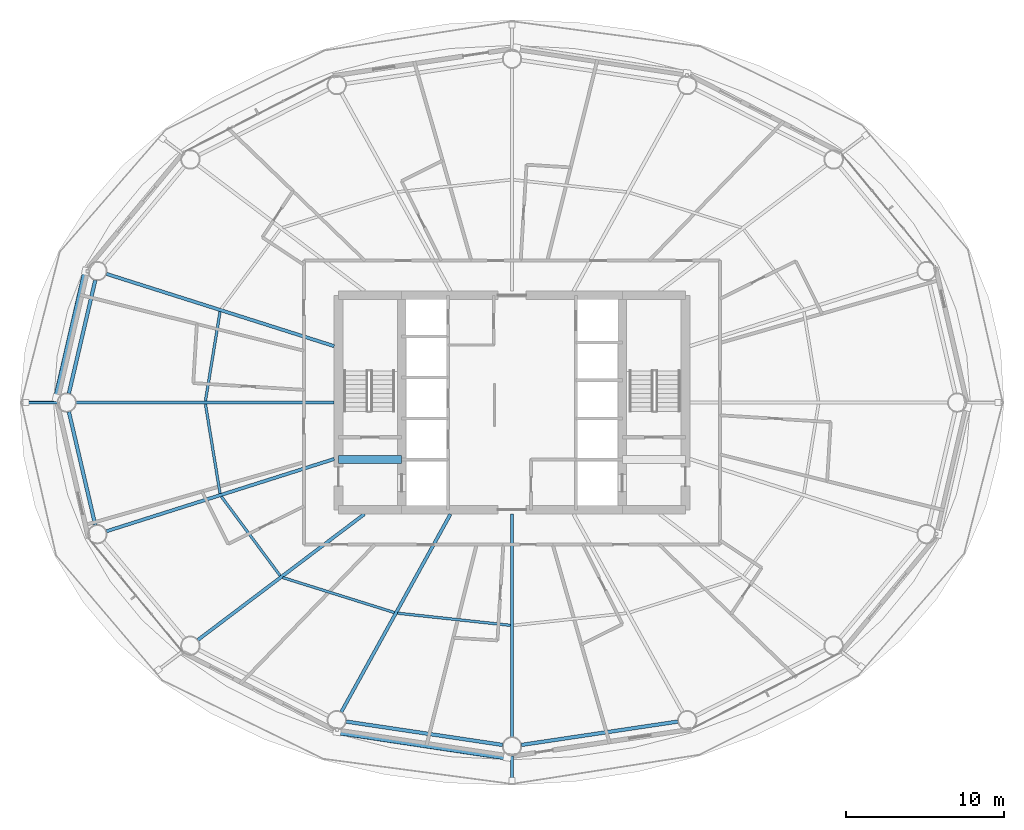
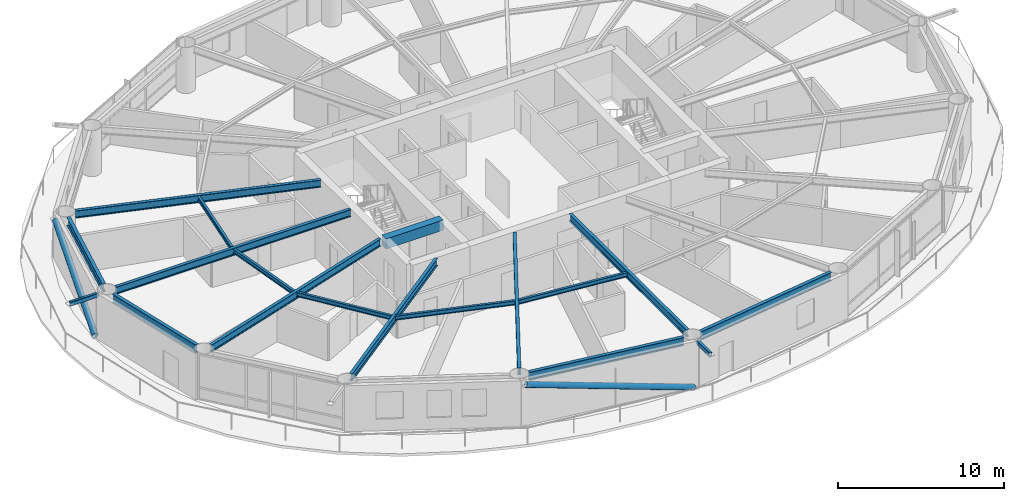
# One storey, part 3 of 24: 16 beams, 4 members.
"""IFC4 building model written with IfcOpenShell, lengths in metres."""

from ifc_helpers import new_model, si_unit, direction, frame, origin, origin_2d, place, context, subcontext, project, spatial, rectangle, hollow_rectangle, hollow_circle, i_section, extrude, material, material_profile, profile_set, type_object, element, save


model = new_model("IFC4")

# Units and contexts
model_context = context("Model", 3, precision=1e-05, world=origin(), true_north=direction((0.0, 1.0)))
body_context = subcontext(model_context, "Body", "Model", "MODEL_VIEW")
ifc_project = project(units=[si_unit("LENGTHUNIT", "METRE"), si_unit("AREAUNIT", "SQUARE_METRE"), si_unit("VOLUMEUNIT", "CUBIC_METRE"), si_unit("PLANEANGLEUNIT", "RADIAN"), si_unit("MASSUNIT", "GRAM", prefix="KILO")], contexts=[model_context])

# Site, building, storey
site_placement = place(None, origin())
site = spatial("IfcSite", under=ifc_project, at=site_placement, CompositionType="ELEMENT")
building_placement = place(site_placement, origin())
building = spatial("IfcBuilding", under=site, at=building_placement, Name="Sarneth Arch Tower", CompositionType="ELEMENT")
storey_placement = place(building_placement, frame((0.0, 0.0, 94.800048828125)))
storey = spatial("IfcBuildingStorey", under=building, at=storey_placement, Name="L23", CompositionType="ELEMENT", Elevation=94.800048828125)

# Beams
ifc_material_1 = material(Name="Steel S355", Category="steel")
ifc_material_profile_1 = material_profile(ifc_material_1, i_section(OverallWidth=0.1669921875, OverallDepth=0.31689453125, WebThickness=0.007568359375, FlangeThickness=0.01318359375, FilletRadius=0.012939453125, at=origin_2d()), Name="W310x52")
ifc_profile_set_1 = profile_set([ifc_material_profile_1], Name="Steel S355")
beam_type_1 = type_object("IfcBeamType", Name="BM-JOIST-310B", PredefinedType="JOIST", material=ifc_profile_set_1)
for number, where, z_axis, x_axis, name in (
    (1, (29.48583984375, 47.76513671875, 3.221435546875), (-0.16118181609, -0.986924729735, 0.0), (0.986924729735, -0.16118181609, 0.0), "L23 Secondary floor joist 08"),
    (2, (28.561279296875, 41.89599609375, 3.221435546875), (0.16118181609, -0.986924729735, 0.0), (0.986924729735, 0.16118181609, 0.0), "L23 Secondary floor joist 09"),
):
    element("IfcBeam", number, at=place(storey_placement, frame(where, z_axis=z_axis, x_axis=x_axis)), inside=storey, type_object=beam_type_1, Name=name, PredefinedType="JOIST", context=body_context, shape_type="SweptSolid", body=[
        extrude(i_section(OverallWidth=0.1669921875, OverallDepth=0.31689453125, WebThickness=0.007568359375, FlangeThickness=0.01318359375, FilletRadius=0.012939453125, at=origin_2d()), origin(), (0.0, 0.0, 1.0), 5.736083984375),
    ])
beam_1_placement = place(storey_placement, frame((29.565673828125, 36.0458984375, 3.221435546875), z_axis=(0.596098474255, -0.802911333206, 0.0), x_axis=(0.802911333206, 0.596098474255, 0.0)))
element("IfcBeam", 3, at=beam_1_placement, inside=storey, type_object=beam_type_1, Name="L23 Secondary floor joist 10", PredefinedType="JOIST", context=body_context, shape_type="SweptSolid", body=[
    extrude(i_section(OverallWidth=0.1669921875, OverallDepth=0.31689453125, WebThickness=0.007568359375, FlangeThickness=0.01318359375, FilletRadius=0.012939453125, at=origin_2d()), origin(), (0.0, 0.0, 1.0), 6.259033203125),
])
beam_2_placement = place(storey_placement, frame((33.460205078125, 30.904296875, 3.221435546875), z_axis=(0.954245982384, -0.299022750146, 0.0), x_axis=(0.299022750146, 0.954245982384, 0.0)))
element("IfcBeam", 4, at=beam_2_placement, inside=storey, type_object=beam_type_1, Name="L23 Secondary floor joist 11", PredefinedType="JOIST", context=body_context, shape_type="SweptSolid", body=[
    extrude(i_section(OverallWidth=0.1669921875, OverallDepth=0.31689453125, WebThickness=0.007568359375, FlangeThickness=0.01318359375, FilletRadius=0.012939453125, at=origin_2d()), origin(), (0.0, 0.0, 1.0), 7.416748046875),
])
beam_3_placement = place(storey_placement, frame((40.7431640625, 28.6435546875, 3.221435546875), z_axis=(0.994257420028, -0.107014871487, 0.0), x_axis=(0.107014871487, 0.994257420028, 0.0)))
element("IfcBeam", 5, at=beam_3_placement, inside=storey, type_object=beam_type_1, Name="L23 Secondary floor joist 12", PredefinedType="JOIST", context=body_context, shape_type="SweptSolid", body=[
    extrude(i_section(OverallWidth=0.1669921875, OverallDepth=0.31689453125, WebThickness=0.007568359375, FlangeThickness=0.01318359375, FilletRadius=0.012939453125, at=origin_2d()), origin(), (0.0, 0.0, 1.0), 7.193115234375),
])
ifc_material_2 = material(Name="Concrete C50/60", Category="concrete")
ifc_material_profile_2 = material_profile(ifc_material_2, rectangle(XDim=0.5, YDim=0.75, at=origin_2d()), Name="RC-500x750")
ifc_profile_set_2 = profile_set([ifc_material_profile_2], Name="Concrete C50/60")
beam_type_2 = type_object("IfcBeamType", Name="BM-LINTEL-RC", PredefinedType="LINTEL", material=ifc_profile_set_2)
beam_4_placement = place(storey_placement, frame((37.0, 38.39990234375, 3.0048828125), z_axis=(1.0, 0.0, 0.0), x_axis=(0.0, 1.0, 0.0)))
element("IfcBeam", 6, at=beam_4_placement, inside=storey, type_object=beam_type_2, Name="L23 Core coupling lintel W", PredefinedType="LINTEL", context=body_context, shape_type="SweptSolid", body=[
    extrude(rectangle(XDim=0.5, YDim=0.75, at=origin_2d()), origin(), (0.0, 0.0, 1.0), 4.0),
])
ifc_material_3 = material(Name="Steel S355", Category="steel")
ifc_material_profile_3 = material_profile(ifc_material_3, i_section(OverallWidth=0.2109375, OverallDepth=0.5390625, WebThickness=0.01171875, FlangeThickness=0.018798828125, FilletRadius=0.01806640625, at=origin_2d()), Name="W530x109")
ifc_profile_set_3 = profile_set([ifc_material_profile_3], Name="Steel S355")
beam_type_3 = type_object("IfcBeamType", Name="BM-RAD-530B", PredefinedType="BEAM", material=ifc_profile_set_3)
beam_5_placement = place(storey_placement, frame((36.72509765625, 45.57763671875, 3.1103515625), z_axis=(-0.953162461637, 0.302458793435, 0.0), x_axis=(-0.302458793435, -0.953162461637, 0.0)))
element("IfcBeam", 7, at=beam_5_placement, inside=storey, type_object=beam_type_3, Name="L23 Radial floor girder 08", PredefinedType="BEAM", context=body_context, shape_type="SweptSolid", body=[
    extrude(i_section(OverallWidth=0.2109375, OverallDepth=0.5390625, WebThickness=0.01171875, FlangeThickness=0.018798828125, FilletRadius=0.01806640625, at=origin_2d()), origin(), (0.0, 0.0, 1.0), 15.154052734375),
])
beam_6_placement = place(storey_placement, frame((36.72509765625, 42.0, 3.1103515625), z_axis=(-1.0, 0.0, 0.0), x_axis=(0.0, -1.0, 0.0)))
element("IfcBeam", 8, at=beam_6_placement, inside=storey, type_object=beam_type_3, Name="L23 Radial floor girder 09", PredefinedType="BEAM", context=body_context, shape_type="SweptSolid", body=[
    extrude(i_section(OverallWidth=0.2109375, OverallDepth=0.5390625, WebThickness=0.01171875, FlangeThickness=0.018798828125, FilletRadius=0.01806640625, at=origin_2d()), origin(), (0.0, 0.0, 1.0), 16.36181640625),
])
beam_7_placement = place(storey_placement, frame((36.72509765625, 38.42236328125, 3.1103515625), z_axis=(-0.953162461637, -0.302458793435, 0.0), x_axis=(0.302458793435, -0.953162461637, 0.0)))
element("IfcBeam", 9, at=beam_7_placement, inside=storey, type_object=beam_type_3, Name="L23 Radial floor girder 10", PredefinedType="BEAM", context=body_context, shape_type="SweptSolid", body=[
    extrude(i_section(OverallWidth=0.2109375, OverallDepth=0.5390625, WebThickness=0.01171875, FlangeThickness=0.018798828125, FilletRadius=0.01806640625, at=origin_2d()), origin(), (0.0, 0.0, 1.0), 15.154052734375),
])
beam_8_placement = place(storey_placement, frame((38.63818359375, 34.925048828125, 3.1103515625), z_axis=(-0.797802835234, -0.602918432371, 0.0), x_axis=(0.602918432371, -0.797802835234, 0.0)))
element("IfcBeam", 10, at=beam_8_placement, inside=storey, type_object=beam_type_3, Name="L23 Radial floor girder 11", PredefinedType="BEAM", context=body_context, shape_type="SweptSolid", body=[
    extrude(i_section(OverallWidth=0.2109375, OverallDepth=0.5390625, WebThickness=0.01171875, FlangeThickness=0.018798828125, FilletRadius=0.01806640625, at=origin_2d()), origin(), (0.0, 0.0, 1.0), 13.232666015625),
])
beam_9_placement = place(storey_placement, frame((44.09716796875, 34.925048828125, 3.1103515625), z_axis=(-0.483021011336, -0.875608761153, 0.0), x_axis=(0.875608761153, -0.483021011336, 0.0)))
element("IfcBeam", 11, at=beam_9_placement, inside=storey, type_object=beam_type_3, Name="L23 Radial floor girder 12", PredefinedType="BEAM", context=body_context, shape_type="SweptSolid", body=[
    extrude(i_section(OverallWidth=0.2109375, OverallDepth=0.5390625, WebThickness=0.01171875, FlangeThickness=0.018798828125, FilletRadius=0.01806640625, at=origin_2d()), origin(), (0.0, 0.0, 1.0), 14.32177734375),
])
beam_10_placement = place(storey_placement, frame((48.0, 34.925048828125, 3.1103515625), z_axis=(0.0, -1.0, 0.0), x_axis=(1.0, 0.0, 0.0)))
element("IfcBeam", 12, at=beam_10_placement, inside=storey, type_object=beam_type_3, Name="L23 Radial floor girder 13", PredefinedType="BEAM", context=body_context, shape_type="SweptSolid", body=[
    extrude(i_section(OverallWidth=0.2109375, OverallDepth=0.5390625, WebThickness=0.01171875, FlangeThickness=0.018798828125, FilletRadius=0.01806640625, at=origin_2d()), origin(), (0.0, 0.0, 1.0), 14.125),
])
ifc_material_4 = material(Name="Steel S355", Category="steel")
ifc_material_profile_4 = material_profile(ifc_material_4, i_section(OverallWidth=0.22900390625, OverallDepth=0.612060546875, WebThickness=0.011962890625, FlangeThickness=0.01953125, FilletRadius=0.01904296875, at=origin_2d()), Name="W610x125")
ifc_profile_set_4 = profile_set([ifc_material_profile_4], Name="Steel S355")
beam_type_4 = type_object("IfcBeamType", Name="BM-SPAN-610C", PredefinedType="SPANDREL", material=ifc_profile_set_4)
for number, where, z_axis, x_axis, name in (
    (13, (21.572509765625, 49.75830078125, 3.073974609375), (-0.227088175252, -0.973874201661, 0.0), (0.973874201661, -0.227088175252, 0.0), "L23 Perimeter spandrel beam 08"),
    (14, (19.899658203125, 41.415771484375, 3.073974609375), (0.227088175252, -0.973874201661, 0.0), (0.973874201661, 0.227088175252, 0.0), "L23 Perimeter spandrel beam 09"),
):
    element("IfcBeam", number, at=place(storey_placement, frame(where, z_axis=z_axis, x_axis=x_axis)), inside=storey, type_object=beam_type_4, Name=name, PredefinedType="SPANDREL", context=body_context, shape_type="SweptSolid", body=[
        extrude(i_section(OverallWidth=0.22900390625, OverallDepth=0.612060546875, WebThickness=0.011962890625, FlangeThickness=0.01953125, FilletRadius=0.01904296875, at=origin_2d()), origin(), (0.0, 0.0, 1.0), 7.366455078125),
    ])
for number, where, z_axis, x_axis, name in (
    (15, (37.483154296875, 21.770751953125, 3.073974609375), (0.989028613319, -0.147724073992, 0.0), (0.147724073992, 0.989028613319, 0.0), "L23 Perimeter spandrel beam 12"),
    (16, (48.593505859375, 20.28857421875, 3.073974609375), (0.989028613319, 0.147724073992, 0.0), (-0.147724073992, 0.989028613319, 0.0), "L23 Perimeter spandrel beam 13"),
):
    element("IfcBeam", number, at=place(storey_placement, frame(where, z_axis=z_axis, x_axis=x_axis)), inside=storey, type_object=beam_type_4, Name=name, PredefinedType="SPANDREL", context=body_context, shape_type="SweptSolid", body=[
        extrude(i_section(OverallWidth=0.22900390625, OverallDepth=0.612060546875, WebThickness=0.011962890625, FlangeThickness=0.01953125, FilletRadius=0.01904296875, at=origin_2d()), origin(), (0.0, 0.0, 1.0), 10.033447265625),
    ])

# Members
ifc_material_5 = material(Name="Steel S355", Category="steel")
ifc_material_profile_5 = material_profile(ifc_material_5, hollow_rectangle(XDim=0.199951171875, YDim=0.300048828125, WallThickness=0.012451171875, InnerFilletRadius=0.018798828125, OuterFilletRadius=0.03125, at=origin_2d()), Name="RHS300x200x12.5")
ifc_profile_set_5 = profile_set([ifc_material_profile_5], Name="Steel S355")
member_type_1 = type_object("IfcMemberType", Name="MEM-CANT-STRUT", PredefinedType="STRUT", material=ifc_profile_set_5)
member_1_placement = place(storey_placement, frame((19.163330078125, 42.0, 3.219970703125), z_axis=(-1.0, 0.0, 0.0), x_axis=(0.0, -1.0, 0.0)))
element("IfcMember", 17, at=member_1_placement, inside=storey, type_object=member_type_1, Name="L23 Balcony cantilever bracket 09", PredefinedType="STRUT", context=body_context, shape_type="SweptSolid", body=[
    extrude(hollow_rectangle(XDim=0.199951171875, YDim=0.300048828125, WallThickness=0.012451171875, InnerFilletRadius=0.018798828125, OuterFilletRadius=0.03125, at=origin_2d()), origin(), (0.0, 0.0, 1.0), 1.99169921875),
])
member_2_placement = place(storey_placement, frame((48.0, 19.60009765625, 3.219970703125), z_axis=(0.0, -1.0, 0.0), x_axis=(1.0, 0.0, 0.0)))
element("IfcMember", 18, at=member_2_placement, inside=storey, type_object=member_type_1, Name="L23 Balcony cantilever bracket 13", PredefinedType="STRUT", context=body_context, shape_type="SweptSolid", body=[
    extrude(hollow_rectangle(XDim=0.199951171875, YDim=0.300048828125, WallThickness=0.012451171875, InnerFilletRadius=0.018798828125, OuterFilletRadius=0.03125, at=origin_2d()), origin(), (0.0, 0.0, 1.0), 1.558349609375),
])
ifc_material_6 = material(Name="Steel S355", Category="steel")
ifc_material_profile_6 = material_profile(ifc_material_6, hollow_circle(Radius=0.202880859375, WallThickness=0.01611328125, at=origin_2d()), Name="CHS406x16")
ifc_profile_set_6 = profile_set([ifc_material_profile_6], Name="Steel S355")
member_type_2 = type_object("IfcMemberType", Name="MEM-DIAG-BR2", PredefinedType="BRACE", material=ifc_profile_set_6)
member_3_placement = place(storey_placement, frame((19.121337890625, 42.292236328125, 0.02001953125), z_axis=(0.211851767223, 0.915872886243, 0.341021531532), x_axis=(-0.974275349464, 0.225360918143, 0.0)))
element("IfcMember", 19, at=member_3_placement, inside=storey, type_object=member_type_2, Name="L23 Perimeter frame diagonal 08", PredefinedType="BRACE", context=body_context, shape_type="SweptSolid", body=[
    extrude(hollow_circle(Radius=0.202880859375, WallThickness=0.01611328125, at=origin_2d()), origin(), (0.0, 0.0, 1.0), 8.775634765625),
])
member_4_placement = place(storey_placement, frame((47.703369140625, 19.5146484375, 0.02001953125), z_axis=(-0.95367294778, 0.14360842494, 0.264356821282), x_axis=(-0.148905755657, -0.988851392239, 0.0)))
element("IfcMember", 20, at=member_4_placement, inside=storey, type_object=member_type_2, Name="L23 Perimeter frame diagonal 12", PredefinedType="BRACE", context=body_context, shape_type="SweptSolid", body=[
    extrude(hollow_circle(Radius=0.202880859375, WallThickness=0.01611328125, at=origin_2d()), origin(), (0.0, 0.0, 1.0), 11.320556640625),
])

save(model, "model.ifc")
